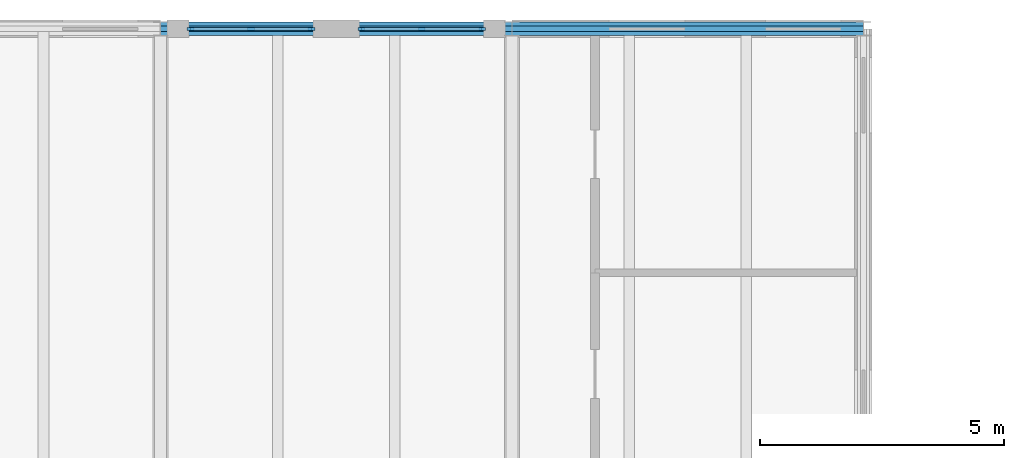
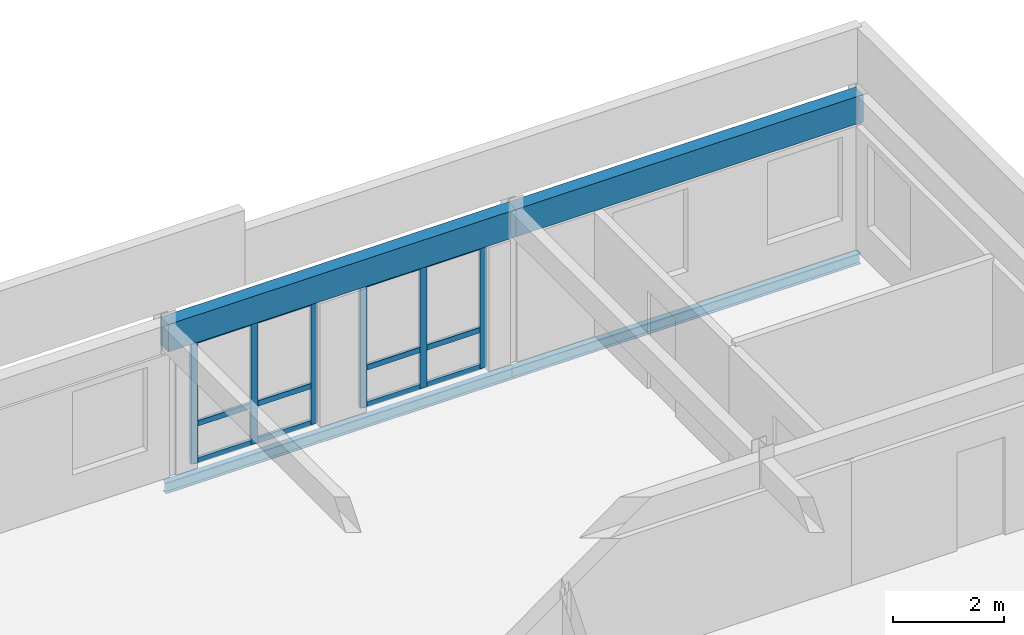
# One storey, part 13 of 21: 12 members, 4 beams, 2 elements without a shape of their own.
"""IFC4 building model written with IfcOpenShell, lengths in metres."""

import ifcopenshell
import ifcopenshell.guid

model = None  # the IFC model being written
_history = None  # IfcOwnerHistory: only IFC2X3 demands one
_inside = {}  # id of a spatial element -> (the spatial element, [elements in it])
_under = {}  # id of a project, library or spatial element -> (it, [spatial elements below it])
_declared = {}  # id of a project -> (the project, [libraries it declares])
_typed = {}  # id of a type object -> (the type object, [elements of that type])
_made_of = {}  # id of a material, layer set ... -> (it, [elements and type objects made of it])


def new_model(schema):
    """Start an empty IFC model of exactly this schema.

    Asked for "IFC4X3", IfcOpenShell would pick the latest addendum, in which some entities
    have other attributes; the version numbers below select the first issue.
    IFC2X3 requires an IfcOwnerHistory on every rooted entity: one is made here for all.
    """
    global model, _history
    if schema == "IFC4X3":
        model = ifcopenshell.file(schema_version=(4, 3, 0, 0))
    else:
        model = ifcopenshell.file(schema=schema)
    _inside.clear()
    _under.clear()
    _declared.clear()
    _typed.clear()
    _made_of.clear()
    _history = None
    if model.schema == "IFC2X3":
        org = make("IfcOrganization", Name="unknown")
        user = make(
            "IfcPersonAndOrganization",
            ThePerson=make("IfcPerson", FamilyName="unknown"),
            TheOrganization=org,
        )
        app = make(
            "IfcApplication",
            ApplicationDeveloper=org,
            Version="unknown",
            ApplicationFullName="unknown",
            ApplicationIdentifier="unknown",
        )
        _history = make(
            "IfcOwnerHistory",
            OwningUser=user,
            OwningApplication=app,
            ChangeAction="ADDED",
            CreationDate=0,
        )
    return model


def make(cls, **values):
    """One entity of the class cls with the attributes given. An attribute that is None is left unset."""
    return model.create_entity(
        cls, **{name: value for name, value in values.items() if value is not None}
    )


def rooted(cls, **values):
    """An entity with a GlobalId (a new one), such as an element, a storey or a relation."""
    return make(cls, GlobalId=ifcopenshell.guid.new(), OwnerHistory=_history, **values)


def si_unit(unit_type, name, prefix=None):
    """IfcSIUnit, for example si_unit("LENGTHUNIT", "METRE", prefix="MILLI")."""
    return make("IfcSIUnit", UnitType=unit_type, Prefix=prefix, Name=name)


def assignment(units):
    """IfcUnitAssignment: the units of a project."""
    return None if units is None else make("IfcUnitAssignment", Units=units)


def point(xyz):
    """IfcCartesianPoint."""
    return None if xyz is None else make("IfcCartesianPoint", Coordinates=xyz)


def direction(xyz):
    """IfcDirection."""
    return None if xyz is None else make("IfcDirection", DirectionRatios=xyz)


def frame(location, z_axis=None, x_axis=None):
    """IfcAxis2Placement3D, a coordinate frame: its origin and axes. An axis left out is left unset."""
    return make(
        "IfcAxis2Placement3D",
        Location=point(location),
        Axis=direction(z_axis),
        RefDirection=direction(x_axis),
    )


def frame_2d(location, x_axis=None):
    """IfcAxis2Placement2D, a coordinate frame in the plane: its origin and x axis."""
    return make(
        "IfcAxis2Placement2D", Location=point(location), RefDirection=direction(x_axis)
    )


def origin():
    """The frame at (0, 0, 0) with its axes left unset."""
    return frame((0.0, 0.0, 0.0))


def origin_2d():
    """The frame at (0, 0) in the plane with its x axis left unset."""
    return frame_2d((0.0, 0.0))


def place(relative_to, where):
    """IfcLocalPlacement: puts the frame where relative to a parent placement (None: the world)."""
    return make(
        "IfcLocalPlacement", PlacementRelTo=relative_to, RelativePlacement=where
    )


def context(
    kind, dimensions, precision=None, world=None, true_north=None, identifier=None
):
    """IfcGeometricRepresentationContext, for example the 3D "Model" context."""
    return make(
        "IfcGeometricRepresentationContext",
        ContextIdentifier=identifier,
        ContextType=kind,
        CoordinateSpaceDimension=dimensions,
        Precision=precision,
        WorldCoordinateSystem=world,
        TrueNorth=true_north,
    )


def subcontext(parent, identifier, kind, view, scale=None):
    """IfcGeometricRepresentationSubContext, for example "Body" below "Model"."""
    return make(
        "IfcGeometricRepresentationSubContext",
        ContextIdentifier=identifier,
        ContextType=kind,
        ParentContext=parent,
        TargetScale=scale,
        TargetView=view,
    )


def project(units=None, contexts=None):
    """IfcProject with its units and contexts."""
    return rooted(
        "IfcProject",
        Name="project",
        RepresentationContexts=contexts,
        UnitsInContext=assignment(units),
    )


def spatial(cls, under=None, at=None, **own):
    """A site, building, storey or space (cls), placed at a placement, below another one or the project."""
    s = rooted(cls, ObjectPlacement=at, **own)
    if under is not None:
        _under.setdefault(under.id(), (under, []))[1].append(s)
    return s


def profile(cls, at=None, kind="AREA", **sizes):
    """A parametric profile (cls). Its sizes go by their IFC names, for example OverallWidth=200.0."""
    return make(cls, ProfileType=kind, Position=at, **sizes)


def rectangle(**sizes):
    """IfcRectangleProfileDef."""
    return profile("IfcRectangleProfileDef", **sizes)


def i_section(**sizes):
    """IfcIShapeProfileDef."""
    return profile("IfcIShapeProfileDef", **sizes)


def extrude(swept, where, along, depth):
    """IfcExtrudedAreaSolid: the profile swept, set in the frame where, extruded along a direction by depth."""
    return make(
        "IfcExtrudedAreaSolid",
        SweptArea=swept,
        Position=where,
        ExtrudedDirection=direction(along),
        Depth=depth,
    )


def shape(context_of_items, identifier, shape_type, items):
    """IfcShapeRepresentation: the items that make up one representation, for example the "Body"."""
    return make(
        "IfcShapeRepresentation",
        ContextOfItems=context_of_items,
        RepresentationIdentifier=identifier,
        RepresentationType=shape_type,
        Items=items,
    )


def material(Name=None, Category=None):
    """IfcMaterial."""
    return make("IfcMaterial", Name=Name, Category=Category)


def material_profile(
    of_material, cross_section, Name=None, Category=None, Priority=None
):
    """IfcMaterialProfile: a cross section and its material."""
    return make(
        "IfcMaterialProfile",
        Name=Name,
        Material=of_material,
        Profile=cross_section,
        Priority=Priority,
        Category=Category,
    )


def profile_set(profiles, Name=None, composite=None):
    """IfcMaterialProfileSet."""
    return make(
        "IfcMaterialProfileSet",
        Name=Name,
        MaterialProfiles=profiles,
        CompositeProfile=composite,
    )


def made_of(thing, what):
    """Note that an element or type object is made of a material, layer set ...; save() writes the relation."""
    if what is not None:
        _made_of.setdefault(what.id(), (what, []))[1].append(thing)
    return thing


def type_object(cls, material=None, **own):
    """A type object (cls), such as IfcWallType, which elements share."""
    return made_of(rooted(cls, **own), material)


def element(
    cls,
    number,
    at=None,
    inside=None,
    cuts=None,
    type_object=None,
    material=None,
    context=None,
    identifier="Body",
    shape_type=None,
    held_by="IfcProductDefinitionShape",
    body=None,
    shapes=None,
    **own,
):
    """One element of the class cls, such as IfcWall. Its Tag is "e" and its number.

    at: its placement. inside: the storey or other place that contains it. cuts: it is an
    opening in that element (IfcRelVoidsElement). A single representation is given by context,
    identifier, shape_type and body (its items); several are given by shapes. held_by: the class
    of the entity that holds the representations. save() writes the other relations.
    """
    e = rooted(cls, Tag="e%d" % number, ObjectPlacement=at, **own)
    if body is not None:
        shapes = [shape(context, identifier, shape_type, body)]
    if shapes is not None:
        e.Representation = make(held_by, Representations=shapes)
    if inside is not None:
        _inside.setdefault(inside.id(), (inside, []))[1].append(e)
    if cuts is not None:
        rooted(
            "IfcRelVoidsElement", RelatingBuildingElement=cuts, RelatedOpeningElement=e
        )
    if type_object is not None:
        _typed.setdefault(type_object.id(), (type_object, []))[1].append(e)
    return made_of(e, material)


def aggregate(whole, parts):
    """IfcRelAggregates: a whole, such as a stair, and the parts it consists of."""
    return rooted("IfcRelAggregates", RelatingObject=whole, RelatedObjects=parts)


def save(model, path):
    """Write the relations noted so far, then the file.

    IfcRelAggregates (storeys below a building ...), IfcRelContainedInSpatialStructure (elements
    in a storey), IfcRelDefinesByType, IfcRelAssociatesMaterial and IfcRelDeclares: one each for
    every whole, place, type object, material and project.
    """
    for whole, parts in _under.values():
        aggregate(whole, parts)
    for where, things in _inside.values():
        rooted(
            "IfcRelContainedInSpatialStructure",
            RelatedElements=things,
            RelatingStructure=where,
        )
    for kind, things in _typed.values():
        rooted("IfcRelDefinesByType", RelatedObjects=things, RelatingType=kind)
    for what, things in _made_of.values():
        rooted("IfcRelAssociatesMaterial", RelatedObjects=things, RelatingMaterial=what)
    for by, libraries in _declared.values():
        rooted("IfcRelDeclares", RelatingContext=by, RelatedDefinitions=libraries)
    model.write(path)


model = new_model("IFC4")

# Units and contexts
model_context = context("Model", 3, precision=1e-05, world=origin(), true_north=direction((0.0, 1.0)))
body_context = subcontext(model_context, "Body", "Model", "MODEL_VIEW")
ifc_project = project(units=[si_unit("LENGTHUNIT", "METRE"), si_unit("AREAUNIT", "SQUARE_METRE"), si_unit("VOLUMEUNIT", "CUBIC_METRE"), si_unit("PLANEANGLEUNIT", "RADIAN"), si_unit("MASSUNIT", "GRAM", prefix="KILO")], contexts=[model_context])

# Site, building, storey
site_placement = place(None, origin())
site = spatial("IfcSite", under=ifc_project, at=site_placement, CompositionType="ELEMENT")
building_placement = place(site_placement, origin())
building = spatial("IfcBuilding", under=site, at=building_placement, Name="Kahlenmark Community Centre", CompositionType="ELEMENT")
storey_placement = place(building_placement, frame((0.0, 0.0, 21.60009765625)))
storey = spatial("IfcBuildingStorey", under=building, at=storey_placement, Name="L05", CompositionType="ELEMENT", Elevation=21.60009765625)

# Beams
ifc_material_1 = material(Name="Glulam GL32h", Category="wood")
ifc_material_profile_1 = material_profile(ifc_material_1, rectangle(XDim=0.280029296875, YDim=0.60009765625, at=origin_2d()), Name="GL32h 280x600")
ifc_profile_set_1 = profile_set([ifc_material_profile_1], Name="Glulam GL32h")
beam_type_1 = type_object("IfcBeamType", Name="BT-BEAM-GL32h280x600", PredefinedType="BEAM", material=ifc_profile_set_1)
beam_1_placement = place(storey_placement, frame((72.39990234375, 115.0, 3.02001953125), z_axis=(1.0, 0.0, 0.0), x_axis=(0.0, 1.0, 0.0)))
element("IfcBeam", 1, at=beam_1_placement, inside=storey, type_object=beam_type_1, Name="L05 beam BG-RF600", PredefinedType="BEAM", context=body_context, shape_type="SweptSolid", body=[
    extrude(rectangle(XDim=0.280029296875, YDim=0.60009765625, at=origin_2d()), origin(), (0.0, 0.0, 1.0), 7.2001953125),
])
beam_2_placement = place(storey_placement, frame((79.60009765625, 115.0, 3.02001953125), z_axis=(1.0, 0.0, 0.0), x_axis=(0.0, 1.0, 0.0)))
element("IfcBeam", 2, at=beam_2_placement, inside=storey, type_object=beam_type_1, Name="L05 beam BG-RF600", PredefinedType="BEAM", context=body_context, shape_type="SweptSolid", body=[
    extrude(rectangle(XDim=0.280029296875, YDim=0.60009765625, at=origin_2d()), origin(), (0.0, 0.0, 1.0), 7.199951171875),
])
ifc_material_2 = material(Name="Steel S355", Category="steel")
ifc_material_profile_2 = material_profile(ifc_material_2, i_section(OverallWidth=0.1201171875, OverallDepth=0.239990234375, WebThickness=0.006103515625, FlangeThickness=0.009765625, at=origin_2d()), Name="IPE 240")
ifc_profile_set_2 = profile_set([ifc_material_profile_2], Name="Steel S355")
beam_type_2 = type_object("IfcBeamType", Name="BT-SPANDREL-IPE240", PredefinedType="SPANDREL", material=ifc_profile_set_2)
beam_3_placement = place(storey_placement, frame((72.39990234375, 115.0, -0.320068359375), z_axis=(1.0, 0.0, 0.0), x_axis=(0.0, 1.0, 0.0)))
element("IfcBeam", 3, at=beam_3_placement, inside=storey, type_object=beam_type_2, Name="L05 spandrel SP-IPE240", PredefinedType="SPANDREL", context=body_context, shape_type="SweptSolid", body=[
    extrude(i_section(OverallWidth=0.1201171875, OverallDepth=0.239990234375, WebThickness=0.006103515625, FlangeThickness=0.009765625, at=origin_2d()), origin(), (0.0, 0.0, 1.0), 7.2001953125),
])
beam_4_placement = place(storey_placement, frame((79.60009765625, 115.0, -0.320068359375), z_axis=(1.0, 0.0, 0.0), x_axis=(0.0, 1.0, 0.0)))
element("IfcBeam", 4, at=beam_4_placement, inside=storey, type_object=beam_type_2, Name="L05 spandrel SP-IPE240", PredefinedType="SPANDREL", context=body_context, shape_type="SweptSolid", body=[
    extrude(i_section(OverallWidth=0.1201171875, OverallDepth=0.239990234375, WebThickness=0.006103515625, FlangeThickness=0.009765625, at=origin_2d()), origin(), (0.0, 0.0, 1.0), 7.199951171875),
])

# Curtain wall, members
ifc_material_3 = material(Name="Anodised aluminium unitised curtain wall", Category="aluminium")
curtain_wall_type = type_object("IfcCurtainWallType", Name="CWT-UNIT-254X271", PredefinedType="USERDEFINED", material=ifc_material_3)
curtain_wall_1_placement = place(storey_placement, origin())
curtain_wall_1 = element("IfcCurtainWall", 5, at=curtain_wall_1_placement, inside=storey, type_object=curtain_wall_type, Name="Unitised curtain wall CW-141", ObjectType="UNITISED CURTAIN WALL", PredefinedType="USERDEFINED")
ifc_material_4 = material(Name="Anodised aluminium 6063-T6", Category="aluminium")
ifc_material_profile_3 = material_profile(ifc_material_4, rectangle(XDim=0.06005859375, YDim=0.139892578125, at=origin_2d()), Name="ALU MULLION 60x140")
ifc_profile_set_3 = profile_set([ifc_material_profile_3], Name="Anodised aluminium 6063-T6")
member_type_1 = type_object("IfcMemberType", Name="MT-MUL-140", PredefinedType="MULLION", material=ifc_profile_set_3)
member_1_placement = place(storey_placement, frame((78.989990234375, 115.0, 0.0), z_axis=(0.0, 0.0, 1.0), x_axis=(0.0, -1.0, 0.0)))
member_1 = element("IfcMember", 6, at=member_1_placement, type_object=member_type_1, Name="CW-141 mullion 1", PredefinedType="MULLION", context=body_context, shape_type="SweptSolid", body=[
    extrude(rectangle(XDim=0.06005859375, YDim=0.139892578125, at=origin_2d()), origin(), (0.0, 0.0, 1.0), 2.7099609375),
])
member_2_placement = place(storey_placement, frame((77.75, 115.0, 0.0), z_axis=(0.0, 0.0, 1.0), x_axis=(0.0, -1.0, 0.0)))
member_2 = element("IfcMember", 7, at=member_2_placement, type_object=member_type_1, Name="CW-141 mullion 2", PredefinedType="MULLION", context=body_context, shape_type="SweptSolid", body=[
    extrude(rectangle(XDim=0.06005859375, YDim=0.139892578125, at=origin_2d()), origin(), (0.0, 0.0, 1.0), 2.7099609375),
])
member_3_placement = place(storey_placement, frame((76.510009765625, 115.0, 0.0), z_axis=(0.0, 0.0, 1.0), x_axis=(0.0, -1.0, 0.0)))
member_3 = element("IfcMember", 8, at=member_3_placement, type_object=member_type_1, Name="CW-141 mullion 3", PredefinedType="MULLION", context=body_context, shape_type="SweptSolid", body=[
    extrude(rectangle(XDim=0.06005859375, YDim=0.139892578125, at=origin_2d()), origin(), (0.0, 0.0, 1.0), 2.7099609375),
])

curtain_wall_2_placement = place(storey_placement, origin())
curtain_wall_2 = element("IfcCurtainWall", 9, at=curtain_wall_2_placement, inside=storey, type_object=curtain_wall_type, Name="Unitised curtain wall CW-142", ObjectType="UNITISED CURTAIN WALL", PredefinedType="USERDEFINED")
member_4_placement = place(storey_placement, frame((75.489990234375, 115.0, 0.0), z_axis=(0.0, 0.0, 1.0), x_axis=(0.0, -1.0, 0.0)))
member_4 = element("IfcMember", 10, at=member_4_placement, type_object=member_type_1, Name="CW-142 mullion 1", PredefinedType="MULLION", context=body_context, shape_type="SweptSolid", body=[
    extrude(rectangle(XDim=0.06005859375, YDim=0.139892578125, at=origin_2d()), origin(), (0.0, 0.0, 1.0), 2.7099609375),
])
member_5_placement = place(storey_placement, frame((74.25, 115.0, 0.0), z_axis=(0.0, 0.0, 1.0), x_axis=(0.0, -1.0, 0.0)))
member_5 = element("IfcMember", 11, at=member_5_placement, type_object=member_type_1, Name="CW-142 mullion 2", PredefinedType="MULLION", context=body_context, shape_type="SweptSolid", body=[
    extrude(rectangle(XDim=0.06005859375, YDim=0.139892578125, at=origin_2d()), origin(), (0.0, 0.0, 1.0), 2.7099609375),
])
member_6_placement = place(storey_placement, frame((73.010009765625, 115.0, 0.0), z_axis=(0.0, 0.0, 1.0), x_axis=(0.0, -1.0, 0.0)))
member_6 = element("IfcMember", 12, at=member_6_placement, type_object=member_type_1, Name="CW-142 mullion 3", PredefinedType="MULLION", context=body_context, shape_type="SweptSolid", body=[
    extrude(rectangle(XDim=0.06005859375, YDim=0.139892578125, at=origin_2d()), origin(), (0.0, 0.0, 1.0), 2.7099609375),
])

# Member
ifc_material_profile_4 = material_profile(ifc_material_4, rectangle(XDim=0.06005859375, YDim=0.1201171875, at=origin_2d()), Name="ALU TRANSOM 60x120")
ifc_profile_set_4 = profile_set([ifc_material_profile_4], Name="Anodised aluminium 6063-T6")
member_type_2 = type_object("IfcMemberType", Name="MT-TRN-120", PredefinedType="USERDEFINED", material=ifc_profile_set_4)
member_7_placement = place(storey_placement, frame((78.989990234375, 115.0, 0.039794921875), z_axis=(-1.0, 0.0, 0.0), x_axis=(0.0, -1.0, 0.0)))
member_7 = element("IfcMember", 13, at=member_7_placement, type_object=member_type_2, Name="CW-141 transom 1", ObjectType="TRANSOM", PredefinedType="USERDEFINED", context=body_context, shape_type="SweptSolid", body=[
    extrude(rectangle(XDim=0.06005859375, YDim=0.1201171875, at=origin_2d()), origin(), (0.0, 0.0, 1.0), 2.47998046875),
])

member_8_placement = place(storey_placement, frame((78.989990234375, 115.0, 0.849853515625), z_axis=(-1.0, 0.0, 0.0), x_axis=(0.0, -1.0, 0.0)))
member_8 = element("IfcMember", 14, at=member_8_placement, type_object=member_type_2, Name="CW-141 transom 2", ObjectType="TRANSOM", PredefinedType="USERDEFINED", context=body_context, shape_type="SweptSolid", body=[
    extrude(rectangle(XDim=0.06005859375, YDim=0.1201171875, at=origin_2d()), origin(), (0.0, 0.0, 1.0), 2.47998046875),
])

member_9_placement = place(storey_placement, frame((78.989990234375, 115.0, 2.669921875), z_axis=(-1.0, 0.0, 0.0), x_axis=(0.0, -1.0, 0.0)))
member_9 = element("IfcMember", 15, at=member_9_placement, type_object=member_type_2, Name="CW-141 transom 3", ObjectType="TRANSOM", PredefinedType="USERDEFINED", context=body_context, shape_type="SweptSolid", body=[
    extrude(rectangle(XDim=0.06005859375, YDim=0.1201171875, at=origin_2d()), origin(), (0.0, 0.0, 1.0), 2.47998046875),
])

aggregate(curtain_wall_1, [member_1, member_2, member_3, member_7, member_8, member_9])

member_10_placement = place(storey_placement, frame((75.489990234375, 115.0, 0.039794921875), z_axis=(-1.0, 0.0, 0.0), x_axis=(0.0, -1.0, 0.0)))
member_10 = element("IfcMember", 16, at=member_10_placement, type_object=member_type_2, Name="CW-142 transom 1", ObjectType="TRANSOM", PredefinedType="USERDEFINED", context=body_context, shape_type="SweptSolid", body=[
    extrude(rectangle(XDim=0.06005859375, YDim=0.1201171875, at=origin_2d()), origin(), (0.0, 0.0, 1.0), 2.47998046875),
])

member_11_placement = place(storey_placement, frame((75.489990234375, 115.0, 0.849853515625), z_axis=(-1.0, 0.0, 0.0), x_axis=(0.0, -1.0, 0.0)))
member_11 = element("IfcMember", 17, at=member_11_placement, type_object=member_type_2, Name="CW-142 transom 2", ObjectType="TRANSOM", PredefinedType="USERDEFINED", context=body_context, shape_type="SweptSolid", body=[
    extrude(rectangle(XDim=0.06005859375, YDim=0.1201171875, at=origin_2d()), origin(), (0.0, 0.0, 1.0), 2.47998046875),
])

member_12_placement = place(storey_placement, frame((75.489990234375, 115.0, 2.669921875), z_axis=(-1.0, 0.0, 0.0), x_axis=(0.0, -1.0, 0.0)))
member_12 = element("IfcMember", 18, at=member_12_placement, type_object=member_type_2, Name="CW-142 transom 3", ObjectType="TRANSOM", PredefinedType="USERDEFINED", context=body_context, shape_type="SweptSolid", body=[
    extrude(rectangle(XDim=0.06005859375, YDim=0.1201171875, at=origin_2d()), origin(), (0.0, 0.0, 1.0), 2.47998046875),
])

aggregate(curtain_wall_2, [member_4, member_5, member_6, member_10, member_11, member_12])

save(model, "model.ifc")
